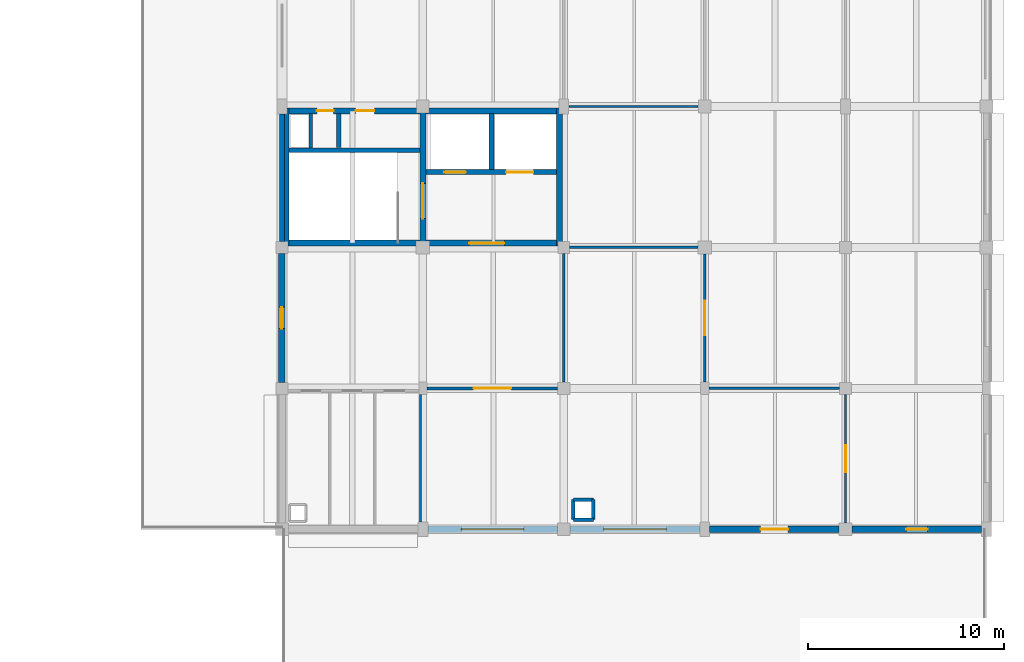
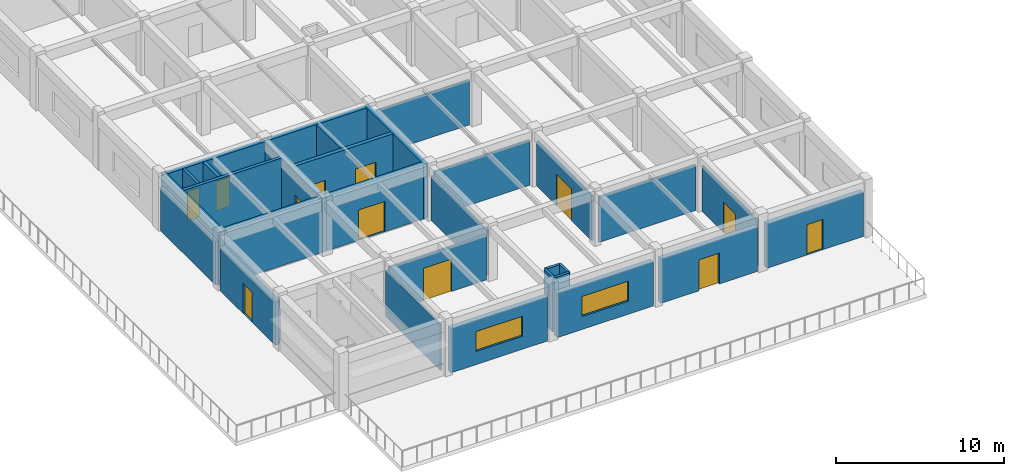
# One storey, part 29 of 38: 30 walls, 12 doors, 2 windows, 14 openings.
"""IFC4 building model written with IfcOpenShell, lengths in metres."""

from ifc_helpers import new_model, si_unit, direction, frame, frame_2d, origin, place, context, subcontext, project, spatial, rectangle, extrude, material, layer, layer_set, type_object, element, fill, save


model = new_model("IFC4")

# Units and contexts
model_context = context("Model", 3, precision=1e-05, world=origin(), true_north=direction((0.0, 1.0)))
body_context = subcontext(model_context, "Body", "Model", "MODEL_VIEW")
ifc_project = project(units=[si_unit("LENGTHUNIT", "METRE"), si_unit("AREAUNIT", "SQUARE_METRE"), si_unit("VOLUMEUNIT", "CUBIC_METRE"), si_unit("PLANEANGLEUNIT", "RADIAN"), si_unit("MASSUNIT", "GRAM", prefix="KILO")], contexts=[model_context])

# Site, building, storey
site_placement = place(None, origin())
site = spatial("IfcSite", under=ifc_project, at=site_placement, CompositionType="ELEMENT")
building_placement = place(site_placement, origin())
building = spatial("IfcBuilding", under=site, at=building_placement, Name="Thalmaran Polytechnic", CompositionType="ELEMENT")
storey_placement = place(building_placement, frame((0.0, 0.0, 18.60009765625)))
storey = spatial("IfcBuildingStorey", under=building, at=storey_placement, Name="L04", CompositionType="ELEMENT", Elevation=18.60009765625)

# Wall, opening, door
ifc_material_1 = material(Name="Precast concrete C40/50", Category="concrete")
ifc_layer_1 = layer(ifc_material_1, 0.330078125, Name="Precast concrete C40/50")
ifc_layer_set_1 = layer_set([ifc_layer_1], Name="Precast concrete C40/50")
wall_type_1 = type_object("IfcWallType", Name="WL-EW02", PredefinedType="STANDARD", material=ifc_layer_set_1)
wall_1_placement = place(storey_placement, frame((172.550048828125, 72.0, 0.0), z_axis=(0.0, 0.0, 1.0), x_axis=(-1.0, 0.0, 0.0)))
wall_1 = element("IfcWall", 1, at=wall_1_placement, inside=storey, type_object=wall_type_1, Name="Terrace Access Wall L04-014", PredefinedType="STANDARD", context=body_context, shape_type="SweptSolid", body=[
    extrude(rectangle(XDim=6.625, YDim=0.330078125, at=frame_2d((3.3125, 0.0))), origin(), (0.0, 0.0, 1.0), 3.2099609375),
])
opening_1_placement = place(wall_1_placement, frame((2.762451171875, 0.0, 0.0)))
opening_1 = element("IfcOpeningElement", 2, at=opening_1_placement, cuts=wall_1, Name="Opening TD-010", PredefinedType="OPENING", context=body_context, shape_type="SweptSolid", body=[
    extrude(rectangle(XDim=1.10009765625, YDim=2.199951171875, at=frame_2d((0.550048828125, 1.10009765625))), frame((0.0, 0.175048828125, 0.0), z_axis=(0.0, -1.0, 0.0), x_axis=(1.0, 0.0, 0.0)), (0.0, 0.0, 1.0), 0.35009765625),
])
ifc_material_2 = material(Name="Anodised aluminium and safety glass", Category="aluminium")
door_type_1 = type_object("IfcDoorType", Name="DR-TD02", OperationType="NOTDEFINED", PredefinedType="DOOR", material=ifc_material_2)
door_1_placement = place(opening_1_placement, origin())
door_1 = element("IfcDoor", 3, at=door_1_placement, inside=storey, type_object=door_type_1, Name="Terrace Access Door TD-010", OperationType="SINGLE_SWING_RIGHT", OverallHeight=2.199951171875, OverallWidth=1.10009765625, PredefinedType="DOOR", context=body_context, shape_type="SweptSolid", body=[
    extrude(rectangle(XDim=1.10009765625, YDim=2.199951171875, at=frame_2d((0.550048828125, 1.10009765625))), frame((0.0, 0.02490234375, 0.0), z_axis=(0.0, -1.0, 0.0), x_axis=(1.0, 0.0, 0.0)), (0.0, 0.0, 1.0), 0.050048828125),
])
fill(opening_1, door_1)

wall_2_placement = place(storey_placement, frame((165.27490234375, 72.0, 0.0), z_axis=(0.0, 0.0, 1.0), x_axis=(-1.0, 0.0, 0.0)))
wall_2 = element("IfcWall", 4, at=wall_2_placement, inside=storey, type_object=wall_type_1, Name="Terrace Access Wall L04-015", PredefinedType="STANDARD", context=body_context, shape_type="SweptSolid", body=[
    extrude(rectangle(XDim=6.625, YDim=0.330078125, at=frame_2d((3.3125, 0.0))), origin(), (0.0, 0.0, 1.0), 3.2099609375),
])
opening_2_placement = place(wall_2_placement, frame((2.612548828125, 0.0, 0.0)))
opening_2 = element("IfcOpeningElement", 5, at=opening_2_placement, cuts=wall_2, Name="Opening TD-011", PredefinedType="OPENING", context=body_context, shape_type="SweptSolid", body=[
    extrude(rectangle(XDim=1.39990234375, YDim=2.25, at=frame_2d((0.699951171875, 1.125))), frame((0.0, 0.175048828125, 0.0), z_axis=(0.0, -1.0, 0.0), x_axis=(1.0, 0.0, 0.0)), (0.0, 0.0, 1.0), 0.35009765625),
])
door_type_2 = type_object("IfcDoorType", Name="DR-TD01", OperationType="NOTDEFINED", PredefinedType="DOOR", material=ifc_material_2)
door_2_placement = place(opening_2_placement, origin())
door_2 = element("IfcDoor", 6, at=door_2_placement, inside=storey, type_object=door_type_2, Name="Terrace Access Door TD-011", OperationType="SINGLE_SWING_LEFT", OverallHeight=2.25, OverallWidth=1.39990234375, PredefinedType="DOOR", context=body_context, shape_type="SweptSolid", body=[
    extrude(rectangle(XDim=1.39990234375, YDim=2.25, at=frame_2d((0.699951171875, 1.125))), frame((0.0, 0.02490234375, 0.0), z_axis=(0.0, -1.0, 0.0), x_axis=(1.0, 0.0, 0.0)), (0.0, 0.0, 1.0), 0.050048828125),
])
fill(opening_2, door_2)

# Wall, opening, window
wall_3_placement = place(storey_placement, frame((158.14990234375, 72.0, 0.0), z_axis=(0.0, 0.0, 1.0), x_axis=(-1.0, 0.0, 0.0)))
wall_3 = element("IfcWall", 7, at=wall_3_placement, inside=storey, type_object=wall_type_1, Name="Terrace Access Wall L04-016", PredefinedType="STANDARD", context=body_context, shape_type="SweptSolid", body=[
    extrude(rectangle(XDim=6.625, YDim=0.330078125, at=frame_2d((3.3125, 0.0))), origin(), (0.0, 0.0, 1.0), 3.2099609375),
])
opening_3_placement = place(wall_3_placement, frame((1.71240234375, 0.0, 0.949951171875)))
opening_3 = element("IfcOpeningElement", 8, at=opening_3_placement, cuts=wall_3, Name="Opening RW04", PredefinedType="OPENING", context=body_context, shape_type="SweptSolid", body=[
    extrude(rectangle(XDim=3.199951171875, YDim=1.449951171875, at=frame_2d((1.60009765625, 0.72509765625))), frame((0.0, 0.175048828125, 0.0), z_axis=(0.0, -1.0, 0.0), x_axis=(1.0, 0.0, 0.0)), (0.0, 0.0, 1.0), 0.35009765625),
])
ifc_material_3 = material(Name="Thermally broken aluminium and double low-E glass", Category="aluminium")
window_type = type_object("IfcWindowType", Name="WN-RW04", PartitioningType="DOUBLE_PANEL_VERTICAL", PredefinedType="WINDOW", material=ifc_material_3)
window_1_placement = place(opening_3_placement, origin())
window_1 = element("IfcWindow", 9, at=window_1_placement, inside=storey, type_object=window_type, Name="Terrace Ribbon Window W-0543", OverallHeight=1.449951171875, OverallWidth=3.199951171875, PartitioningType="SINGLE_PANEL", PredefinedType="WINDOW", context=body_context, shape_type="SweptSolid", body=[
    extrude(rectangle(XDim=3.199951171875, YDim=1.449951171875, at=frame_2d((1.60009765625, 0.72509765625))), frame((0.0, 0.030029296875, 0.0), z_axis=(0.0, -1.0, 0.0), x_axis=(1.0, 0.0, 0.0)), (0.0, 0.0, 1.0), 0.06005859375),
])
fill(opening_3, window_1)

wall_4_placement = place(storey_placement, frame((150.875, 72.0, 0.0), z_axis=(0.0, 0.0, 1.0), x_axis=(-1.0, 0.0, 0.0)))
wall_4 = element("IfcWall", 10, at=wall_4_placement, inside=storey, type_object=wall_type_1, Name="Terrace Access Wall L04-017", PredefinedType="STANDARD", context=body_context, shape_type="SweptSolid", body=[
    extrude(rectangle(XDim=6.625, YDim=0.330078125, at=frame_2d((3.3125, 0.0))), origin(), (0.0, 0.0, 1.0), 3.2099609375),
])
opening_4_placement = place(wall_4_placement, frame((1.71240234375, 0.0, 0.949951171875)))
opening_4 = element("IfcOpeningElement", 11, at=opening_4_placement, cuts=wall_4, Name="Opening RW04", PredefinedType="OPENING", context=body_context, shape_type="SweptSolid", body=[
    extrude(rectangle(XDim=3.199951171875, YDim=1.449951171875, at=frame_2d((1.60009765625, 0.72509765625))), frame((0.0, 0.175048828125, 0.0), z_axis=(0.0, -1.0, 0.0), x_axis=(1.0, 0.0, 0.0)), (0.0, 0.0, 1.0), 0.35009765625),
])
window_2_placement = place(opening_4_placement, origin())
window_2 = element("IfcWindow", 12, at=window_2_placement, inside=storey, type_object=window_type, Name="Terrace Ribbon Window W-0544", OverallHeight=1.449951171875, OverallWidth=3.199951171875, PartitioningType="SINGLE_PANEL", PredefinedType="WINDOW", context=body_context, shape_type="SweptSolid", body=[
    extrude(rectangle(XDim=3.199951171875, YDim=1.449951171875, at=frame_2d((1.60009765625, 0.72509765625))), frame((0.0, 0.030029296875, 0.0), z_axis=(0.0, -1.0, 0.0), x_axis=(1.0, 0.0, 0.0)), (0.0, 0.0, 1.0), 0.06005859375),
])
fill(opening_4, window_2)

# Wall, opening, door
wall_5_placement = place(storey_placement, frame((136.800048828125, 79.510009765625, 0.0), z_axis=(0.0, 0.0, 1.0), x_axis=(0.0, 1.0, 0.0)))
wall_5 = element("IfcWall", 13, at=wall_5_placement, inside=storey, type_object=wall_type_1, Name="Terrace Access Wall L04-020", PredefinedType="STANDARD", context=body_context, shape_type="SweptSolid", body=[
    extrude(rectangle(XDim=6.590087890625, YDim=0.330078125, at=frame_2d((3.294921875, 0.0))), origin(), (0.0, 0.0, 1.0), 3.159912109375),
])
opening_5_placement = place(wall_5_placement, frame((2.7451171875, 0.0, 0.0)))
opening_5 = element("IfcOpeningElement", 14, at=opening_5_placement, cuts=wall_5, Name="Opening TD-012", PredefinedType="OPENING", context=body_context, shape_type="SweptSolid", body=[
    extrude(rectangle(XDim=1.10009765625, YDim=2.199951171875, at=frame_2d((0.550048828125, 1.10009765625))), frame((0.0, 0.175048828125, 0.0), z_axis=(0.0, -1.0, 0.0), x_axis=(1.0, 0.0, 0.0)), (0.0, 0.0, 1.0), 0.35009765625),
])
door_3_placement = place(opening_5_placement, origin())
door_3 = element("IfcDoor", 15, at=door_3_placement, inside=storey, type_object=door_type_1, Name="Terrace Access Door TD-012", OperationType="SINGLE_SWING_RIGHT", OverallHeight=2.199951171875, OverallWidth=1.10009765625, PredefinedType="DOOR", context=body_context, shape_type="SweptSolid", body=[
    extrude(rectangle(XDim=1.10009765625, YDim=2.199951171875, at=frame_2d((0.550048828125, 1.10009765625))), frame((0.0, 0.02490234375, 0.0), z_axis=(0.0, -1.0, 0.0), x_axis=(1.0, 0.0, 0.0)), (0.0, 0.0, 1.0), 0.050048828125),
])
fill(opening_5, door_3)

# Walls
ifc_material_4 = material(Name="Translucent architectural glass block", Category="glass")
ifc_layer_2 = layer(ifc_material_4, 0.239990234375, Name="Translucent architectural glass block")
ifc_layer_set_2 = layer_set([ifc_layer_2], Name="Translucent architectural glass block")
wall_type_2 = type_object("IfcWallType", Name="WL-GB01", PredefinedType="STANDARD", material=ifc_layer_set_2)
wall_6_placement = place(storey_placement, frame((136.800048828125, 86.699951171875, 0.0), z_axis=(0.0, 0.0, 1.0), x_axis=(0.0, 1.0, 0.0)))
element("IfcWall", 16, at=wall_6_placement, inside=storey, type_object=wall_type_2, Name="Streamline Glass-Block Stair Strip L04-021", PredefinedType="STANDARD", context=body_context, shape_type="SweptSolid", body=[
    extrude(rectangle(XDim=6.525146484375, YDim=0.239990234375, at=frame_2d((3.2626953125, 0.0))), origin(), (0.0, 0.0, 1.0), 3.159912109375),
])
ifc_material_5 = material(Name="Autoclaved aerated masonry", Category="masonry")
ifc_layer_3 = layer(ifc_material_5, 0.25, Name="Autoclaved aerated masonry")
ifc_layer_set_3 = layer_set([ifc_layer_3], Name="Autoclaved aerated masonry")
wall_type_3 = type_object("IfcWallType", Name="WL-IW01", PredefinedType="PARTITIONING", material=ifc_layer_set_3)
wall_7_placement = place(storey_placement, frame((147.5, 90.3798828125, 0.0), z_axis=(0.0, 0.0, 1.0), x_axis=(0.0, 1.0, 0.0)))
element("IfcWall", 17, at=wall_7_placement, inside=storey, type_object=wall_type_3, Name="Core C5 Shaft Dividing Wall L04", PredefinedType="PARTITIONING", context=body_context, shape_type="SweptSolid", body=[
    extrude(rectangle(XDim=2.8701171875, YDim=0.25, at=frame_2d((1.43505859375, 0.0))), origin(), (0.0, 0.0, 1.0), 3.954833984375),
])
ifc_layer_4 = layer(ifc_material_5, 0.22998046875, Name="Autoclaved aerated masonry")
ifc_layer_set_4 = layer_set([ifc_layer_4], Name="Autoclaved aerated masonry")
wall_type_4 = type_object("IfcWallType", Name="WL-IW02", PredefinedType="PARTITIONING", material=ifc_layer_set_4)
wall_8_placement = place(storey_placement, frame((139.699951171875, 91.5, 0.0), z_axis=(0.0, 0.0, 1.0), x_axis=(0.0, 1.0, 0.0)))
element("IfcWall", 18, at=wall_8_placement, inside=storey, type_object=wall_type_4, Name="Core C5 Riser Partition L04", PredefinedType="PARTITIONING", context=body_context, shape_type="SweptSolid", body=[
    extrude(rectangle(XDim=1.739990234375, YDim=0.22998046875, at=frame_2d((0.8701171875, 0.0))), origin(), (0.0, 0.0, 1.0), 3.954833984375),
])
ifc_layer_5 = layer(ifc_material_5, 0.179931640625, Name="Autoclaved aerated masonry")
ifc_layer_set_5 = layer_set([ifc_layer_5], Name="Autoclaved aerated masonry")
wall_type_5 = type_object("IfcWallType", Name="WL-IW04", PredefinedType="PARTITIONING", material=ifc_layer_set_5)
wall_9_placement = place(storey_placement, frame((138.280029296875, 91.47998046875, 0.0), z_axis=(0.0, 0.0, 1.0), x_axis=(0.0, 1.0, 0.0)))
element("IfcWall", 19, at=wall_9_placement, inside=storey, type_object=wall_type_5, Name="Core C5 Riser Shaft Enclosure Wall L04", PredefinedType="PARTITIONING", context=body_context, shape_type="SweptSolid", body=[
    extrude(rectangle(XDim=1.760009765625, YDim=0.179931640625, at=frame_2d((0.8798828125, 0.0))), origin(), (0.0, 0.0, 1.0), 3.954833984375),
])
for number, where, z_axis, x_axis, name in (
    (20, (151.68994140625, 72.489990234375, 0.0), (0.0, 0.0, 1.0), (1.0, 0.0, 0.0), "Fume Exhaust Riser Shaft Wall L04 (21,10)-S"),
    (21, (152.7099609375, 72.489990234375, 0.0), (0.0, 0.0, 1.0), (0.0, 1.0, 0.0), "Fume Exhaust Riser Shaft Wall L04 (21,10)-E"),
    (22, (152.7099609375, 73.510009765625, 0.0), (0.0, 0.0, 1.0), (-1.0, 0.0, 0.0), "Fume Exhaust Riser Shaft Wall L04 (21,10)-N"),
    (23, (151.68994140625, 73.510009765625, 0.0), (0.0, 0.0, 1.0), (0.0, -1.0, 0.0), "Fume Exhaust Riser Shaft Wall L04 (21,10)-W"),
):
    element("IfcWall", number, at=place(storey_placement, frame(where, z_axis=z_axis, x_axis=x_axis)), inside=storey, type_object=wall_type_5, Name=name, PredefinedType="PARTITIONING", context=body_context, shape_type="SweptSolid", body=[
        extrude(rectangle(XDim=1.02001953125, YDim=0.179931640625, at=frame_2d((0.510009765625, 0.0))), origin(), (0.0, 0.0, 1.0), 3.954833984375),
    ])

# Wall, opening, door
ifc_material_6 = material(Name="Gypsum acoustic partition")
ifc_layer_6 = layer(ifc_material_6, 0.14501953125, Name="Gypsum acoustic partition")
ifc_layer_set_6 = layer_set([ifc_layer_6], Name="Gypsum acoustic partition")
wall_type_6 = type_object("IfcWallType", Name="WL-IW06", PredefinedType="PARTITIONING", material=ifc_layer_set_6)
wall_10_placement = place(storey_placement, frame((144.215087890625, 79.199951171875, 0.0), z_axis=(0.0, 0.0, 1.0), x_axis=(1.0, 0.0, 0.0)))
wall_10 = element("IfcWall", 24, at=wall_10_placement, inside=storey, type_object=wall_type_6, Name="Interior Partition IW06 L04-065", PredefinedType="PARTITIONING", context=body_context, shape_type="SweptSolid", body=[
    extrude(rectangle(XDim=6.669921875, YDim=0.14501953125, at=frame_2d((3.3349609375, 0.0))), origin(), (0.0, 0.0, 1.0), 3.244873046875),
])
opening_6_placement = place(wall_10_placement, frame((2.375, 0.0, 0.0)))
opening_6 = element("IfcOpeningElement", 25, at=opening_6_placement, cuts=wall_10, Name="Opening D-L04-024-5-03-1", PredefinedType="OPENING", context=body_context, shape_type="SweptSolid", body=[
    extrude(rectangle(XDim=1.919921875, YDim=2.35009765625, at=frame_2d((0.9599609375, 1.175048828125))), frame((0.0, 0.08251953125, 0.0), z_axis=(0.0, -1.0, 0.0), x_axis=(1.0, 0.0, 0.0)), (0.0, 0.0, 1.0), 0.1650390625),
])
ifc_material_7 = material(Name="Acoustic hardwood and vision glass", Category="wood")
door_type_3 = type_object("IfcDoorType", Name="DR-ZD01", OperationType="NOTDEFINED", PredefinedType="DOOR", material=ifc_material_7)
door_4_placement = place(opening_6_placement, origin())
door_4 = element("IfcDoor", 26, at=door_4_placement, inside=storey, type_object=door_type_3, Name="Marine Systems Laboratory L04-03 Door 1", OperationType="SINGLE_SWING_LEFT", OverallHeight=2.35009765625, OverallWidth=1.919921875, PredefinedType="DOOR", context=body_context, shape_type="SweptSolid", body=[
    extrude(rectangle(XDim=1.919921875, YDim=2.35009765625, at=frame_2d((0.9599609375, 1.175048828125))), frame((0.0, 0.02490234375, 0.0), z_axis=(0.0, -1.0, 0.0), x_axis=(1.0, 0.0, 0.0)), (0.0, 0.0, 1.0), 0.050048828125),
])
fill(opening_6, door_4)

# Walls
wall_11_placement = place(storey_placement, frame((151.199951171875, 79.514892578125, 0.0), z_axis=(0.0, 0.0, 1.0), x_axis=(0.0, 1.0, 0.0)))
element("IfcWall", 27, at=wall_11_placement, inside=storey, type_object=wall_type_6, Name="Interior Partition IW06 L04-066", PredefinedType="PARTITIONING", context=body_context, shape_type="SweptSolid", body=[
    extrude(rectangle(XDim=6.580078125, YDim=0.14501953125, at=frame_2d((3.2900390625, 0.0))), origin(), (0.0, 0.0, 1.0), 3.27978515625),
])
ifc_layer_7 = layer(ifc_material_6, 0.1298828125, Name="Gypsum acoustic partition")
ifc_layer_set_7 = layer_set([ifc_layer_7], Name="Gypsum acoustic partition")
wall_type_7 = type_object("IfcWallType", Name="WL-IW07", PredefinedType="PARTITIONING", material=ifc_layer_set_7)
wall_12_placement = place(storey_placement, frame((151.5048828125, 86.39990234375, 0.0), z_axis=(0.0, 0.0, 1.0), x_axis=(1.0, 0.0, 0.0)))
element("IfcWall", 28, at=wall_12_placement, inside=storey, type_object=wall_type_7, Name="Interior Partition IW07 L04-072", PredefinedType="PARTITIONING", context=body_context, shape_type="SweptSolid", body=[
    extrude(rectangle(XDim=6.550048828125, YDim=0.1298828125, at=frame_2d((3.27490234375, 0.0))), origin(), (0.0, 0.0, 1.0), 3.264892578125),
])
wall_13_placement = place(storey_placement, frame((158.614990234375, 79.199951171875, 0.0), z_axis=(0.0, 0.0, 1.0), x_axis=(1.0, 0.0, 0.0)))
element("IfcWall", 29, at=wall_13_placement, inside=storey, type_object=wall_type_7, Name="Interior Partition IW07 L04-080", PredefinedType="PARTITIONING", context=body_context, shape_type="SweptSolid", body=[
    extrude(rectangle(XDim=6.669921875, YDim=0.1298828125, at=frame_2d((3.3349609375, 0.0))), origin(), (0.0, 0.0, 1.0), 3.304931640625),
])
ifc_layer_8 = layer(ifc_material_6, 0.114990234375, Name="Gypsum acoustic partition")
ifc_layer_set_8 = layer_set([ifc_layer_8], Name="Gypsum acoustic partition")
wall_type_8 = type_object("IfcWallType", Name="WL-IW08", PredefinedType="PARTITIONING", material=ifc_layer_set_8)
wall_14_placement = place(storey_placement, frame((143.8798828125, 72.3798828125, 0.0), z_axis=(0.0, 0.0, 1.0), x_axis=(0.0, 1.0, 0.0)))
element("IfcWall", 30, at=wall_14_placement, inside=storey, type_object=wall_type_8, Name="Sanitary Side Wall L04-W3-E", PredefinedType="PARTITIONING", context=body_context, shape_type="SweptSolid", body=[
    extrude(rectangle(XDim=6.4951171875, YDim=0.114990234375, at=frame_2d((3.24755859375, 0.0))), origin(), (0.0, 0.0, 1.0), 3.329833984375),
])

# Wall, opening, door
wall_15_placement = place(storey_placement, frame((158.39990234375, 79.52490234375, 0.0), z_axis=(0.0, 0.0, 1.0), x_axis=(0.0, 1.0, 0.0)))
wall_15 = element("IfcWall", 31, at=wall_15_placement, inside=storey, type_object=wall_type_8, Name="Interior Partition IW08 L04-071", PredefinedType="PARTITIONING", context=body_context, shape_type="SweptSolid", body=[
    extrude(rectangle(XDim=6.530029296875, YDim=0.114990234375, at=frame_2d((3.26513671875, 0.0))), origin(), (0.0, 0.0, 1.0), 3.27978515625),
])
opening_7_placement = place(wall_15_placement, frame((2.385009765625, 0.0, 0.0)))
opening_7 = element("IfcOpeningElement", 32, at=opening_7_placement, cuts=wall_15, Name="Opening D-L04-025-5-05-1", PredefinedType="OPENING", context=body_context, shape_type="SweptSolid", body=[
    extrude(rectangle(XDim=1.760009765625, YDim=2.300048828125, at=frame_2d((0.8798828125, 1.14990234375))), frame((0.0, 0.0673828125, 0.0), z_axis=(0.0, -1.0, 0.0), x_axis=(1.0, 0.0, 0.0)), (0.0, 0.0, 1.0), 0.135009765625),
])
door_type_4 = type_object("IfcDoorType", Name="DR-ZD02", OperationType="NOTDEFINED", PredefinedType="DOOR", material=ifc_material_7)
door_5_placement = place(opening_7_placement, origin())
door_5 = element("IfcDoor", 33, at=door_5_placement, inside=storey, type_object=door_type_4, Name="Product Design Studio L04-05 Door 1", OperationType="SINGLE_SWING_RIGHT", OverallHeight=2.300048828125, OverallWidth=1.760009765625, PredefinedType="DOOR", context=body_context, shape_type="SweptSolid", body=[
    extrude(rectangle(XDim=1.760009765625, YDim=2.300048828125, at=frame_2d((0.8798828125, 1.14990234375))), frame((0.0, 0.02490234375, 0.0), z_axis=(0.0, -1.0, 0.0), x_axis=(1.0, 0.0, 0.0)), (0.0, 0.0, 1.0), 0.050048828125),
])
fill(opening_7, door_5)

# Wall
wall_16_placement = place(storey_placement, frame((151.455078125, 93.60009765625, 0.0), z_axis=(0.0, 0.0, 1.0), x_axis=(1.0, 0.0, 0.0)))
element("IfcWall", 34, at=wall_16_placement, inside=storey, type_object=wall_type_8, Name="Interior Partition IW08 L04-073", PredefinedType="PARTITIONING", context=body_context, shape_type="SweptSolid", body=[
    extrude(rectangle(XDim=6.614990234375, YDim=0.114990234375, at=frame_2d((3.3076171875, 0.0))), origin(), (0.0, 0.0, 1.0), 3.264892578125),
])

# Wall, opening, door
wall_17_placement = place(storey_placement, frame((165.60009765625, 72.330078125, 0.0), z_axis=(0.0, 0.0, 1.0), x_axis=(0.0, 1.0, 0.0)))
wall_17 = element("IfcWall", 35, at=wall_17_placement, inside=storey, type_object=wall_type_8, Name="Interior Partition IW08 L04-079", PredefinedType="PARTITIONING", context=body_context, shape_type="SweptSolid", body=[
    extrude(rectangle(XDim=6.554931640625, YDim=0.114990234375, at=frame_2d((3.27734375, 0.0))), origin(), (0.0, 0.0, 1.0), 3.329833984375),
])
opening_8_placement = place(wall_17_placement, frame((2.58740234375, 0.0, 0.0)))
opening_8 = element("IfcOpeningElement", 36, at=opening_8_placement, cuts=wall_17, Name="Opening D-L04-027-5-07-1", PredefinedType="OPENING", context=body_context, shape_type="SweptSolid", body=[
    extrude(rectangle(XDim=1.3798828125, YDim=2.219970703125, at=frame_2d((0.68994140625, 1.10986328125))), frame((0.0, 0.0673828125, 0.0), z_axis=(0.0, -1.0, 0.0), x_axis=(1.0, 0.0, 0.0)), (0.0, 0.0, 1.0), 0.135009765625),
])
door_type_5 = type_object("IfcDoorType", Name="DR-ZD04", OperationType="NOTDEFINED", PredefinedType="DOOR", material=ifc_material_7)
door_6_placement = place(opening_8_placement, origin())
door_6 = element("IfcDoor", 37, at=door_6_placement, inside=storey, type_object=door_type_5, Name="Process Engineering Laboratory L04-07 Door 1", OperationType="SINGLE_SWING_RIGHT", OverallHeight=2.219970703125, OverallWidth=1.3798828125, PredefinedType="DOOR", context=body_context, shape_type="SweptSolid", body=[
    extrude(rectangle(XDim=1.3798828125, YDim=2.219970703125, at=frame_2d((0.68994140625, 1.10986328125))), frame((0.0, 0.02490234375, 0.0), z_axis=(0.0, -1.0, 0.0), x_axis=(1.0, 0.0, 0.0)), (0.0, 0.0, 1.0), 0.050048828125),
])
fill(opening_8, door_6)

# Walls
ifc_material_8 = material(Name="Concrete C50/60", Category="concrete")
ifc_layer_9 = layer(ifc_material_8, 0.300048828125, Name="Concrete C50/60")
ifc_layer_set_9 = layer_set([ifc_layer_9], Name="Concrete C50/60")
wall_type_9 = type_object("IfcWallType", Name="WL-SW04", PredefinedType="SHEAR", material=ifc_layer_set_9)
wall_18_placement = place(storey_placement, frame((137.169921875, 86.6201171875, 0.0), z_axis=(0.0, 0.0, 1.0), x_axis=(1.0, 0.0, 0.0)))
element("IfcWall", 38, at=wall_18_placement, inside=storey, type_object=wall_type_9, Name="Core C5 South Shear Wall L04", PredefinedType="SHEAR", context=body_context, shape_type="SweptSolid", body=[
    extrude(rectangle(XDim=6.68017578125, YDim=0.300048828125, at=frame_2d((3.340087890625, 0.0))), origin(), (0.0, 0.0, 1.0), 3.954833984375),
])
wall_19_placement = place(storey_placement, frame((137.02001953125, 93.530029296875, 0.0), z_axis=(0.0, 0.0, 1.0), x_axis=(0.0, -1.0, 0.0)))
element("IfcWall", 39, at=wall_19_placement, inside=storey, type_object=wall_type_9, Name="Core C5 West Shear Wall L04", PredefinedType="SHEAR", context=body_context, shape_type="SweptSolid", body=[
    extrude(rectangle(XDim=7.06005859375, YDim=0.300048828125, at=frame_2d((3.530029296875, 0.0))), origin(), (0.0, 0.0, 1.0), 3.954833984375),
])

# Wall, openings, doors
wall_20_placement = place(storey_placement, frame((137.169921875, 93.3798828125, 0.0), z_axis=(0.0, 0.0, 1.0), x_axis=(1.0, 0.0, 0.0)))
wall_20 = element("IfcWall", 40, at=wall_20_placement, inside=storey, type_object=wall_type_9, Name="Core C5 North Shear Wall L04", PredefinedType="SHEAR", context=body_context, shape_type="SweptSolid", body=[
    extrude(rectangle(XDim=6.68017578125, YDim=0.300048828125, at=frame_2d((3.340087890625, 0.0))), origin(), (0.0, 0.0, 1.0), 3.954833984375),
])
opening_9_placement = place(wall_20_placement, frame((1.419921875, 0.0, 0.0)))
opening_9 = element("IfcOpeningElement", 41, at=opening_9_placement, cuts=wall_20, Name="Opening DR-C5-L04-R", PredefinedType="OPENING", context=body_context, shape_type="SweptSolid", body=[
    extrude(rectangle(XDim=0.85009765625, YDim=2.10009765625, at=frame_2d((0.425048828125, 1.050048828125))), frame((0.0, 0.159912109375, 0.0), z_axis=(0.0, -1.0, 0.0), x_axis=(1.0, 0.0, 0.0)), (0.0, 0.0, 1.0), 0.320068359375),
])
opening_10_placement = place(wall_20_placement, frame((3.39990234375, 0.0, 0.0)))
opening_10 = element("IfcOpeningElement", 42, at=opening_10_placement, cuts=wall_20, Name="Opening ED-C5-L04-E", PredefinedType="OPENING", context=body_context, shape_type="SweptSolid", body=[
    extrude(rectangle(XDim=0.949951171875, YDim=2.14990234375, at=frame_2d((0.47509765625, 1.074951171875))), frame((0.0, 0.159912109375, 0.0), z_axis=(0.0, -1.0, 0.0), x_axis=(1.0, 0.0, 0.0)), (0.0, 0.0, 1.0), 0.320068359375),
])
ifc_material_9 = material(Name="Powder-coated fire-rated steel", Category="steel")
door_type_6 = type_object("IfcDoorType", Name="DR-FD08", OperationType="NOTDEFINED", PredefinedType="DOOR", material=ifc_material_9)
door_7_placement = place(opening_10_placement, origin())
door_7 = element("IfcDoor", 43, at=door_7_placement, inside=storey, type_object=door_type_6, Name="Electrical Riser Door C5 L04", OperationType="SINGLE_SWING_LEFT", OverallHeight=2.14990234375, OverallWidth=0.949951171875, PredefinedType="DOOR", context=body_context, shape_type="SweptSolid", body=[
    extrude(rectangle(XDim=0.949951171875, YDim=2.14990234375, at=frame_2d((0.47509765625, 1.074951171875))), frame((0.0, 0.02490234375, 0.0), z_axis=(0.0, -1.0, 0.0), x_axis=(1.0, 0.0, 0.0)), (0.0, 0.0, 1.0), 0.050048828125),
])
fill(opening_10, door_7)
door_type_7 = type_object("IfcDoorType", Name="DR-FD09", OperationType="NOTDEFINED", PredefinedType="DOOR", material=ifc_material_9)
door_8_placement = place(opening_9_placement, origin())
door_8 = element("IfcDoor", 44, at=door_8_placement, inside=storey, type_object=door_type_7, Name="Riser Access Fire Door C5 L04", OperationType="SINGLE_SWING_LEFT", OverallHeight=2.10009765625, OverallWidth=0.85009765625, PredefinedType="DOOR", context=body_context, shape_type="SweptSolid", body=[
    extrude(rectangle(XDim=0.85009765625, YDim=2.10009765625, at=frame_2d((0.425048828125, 1.050048828125))), frame((0.0, 0.02490234375, 0.0), z_axis=(0.0, -1.0, 0.0), x_axis=(1.0, 0.0, 0.0)), (0.0, 0.0, 1.0), 0.050048828125),
])
fill(opening_9, door_8)

# Wall
wall_21_placement = place(storey_placement, frame((137.169921875, 91.360107421875, 0.0), z_axis=(0.0, 0.0, 1.0), x_axis=(1.0, 0.0, 0.0)))
element("IfcWall", 45, at=wall_21_placement, inside=storey, type_object=wall_type_9, Name="Core C5 Stair Partition L04", PredefinedType="SHEAR", context=body_context, shape_type="SweptSolid", body=[
    extrude(rectangle(XDim=6.68017578125, YDim=0.219970703125, at=frame_2d((3.340087890625, 0.0))), origin(), (0.0, 0.0, 1.0), 3.954833984375),
])

# Wall, opening, door
wall_22_placement = place(storey_placement, frame((144.0, 86.469970703125, 0.0), z_axis=(0.0, 0.0, 1.0), x_axis=(0.0, 1.0, 0.0)))
wall_22 = element("IfcWall", 46, at=wall_22_placement, inside=storey, type_object=wall_type_9, Name="Core C5 Stair-Lobby Dividing Shear Wall L04", PredefinedType="SHEAR", context=body_context, shape_type="SweptSolid", body=[
    extrude(rectangle(XDim=7.06005859375, YDim=0.300048828125, at=frame_2d((3.530029296875, 0.0))), origin(), (0.0, 0.0, 1.0), 3.954833984375),
])
opening_11_placement = place(wall_22_placement, frame((1.39990234375, 0.0, 0.0)))
opening_11 = element("IfcOpeningElement", 47, at=opening_11_placement, cuts=wall_22, Name="Opening SD-ST5-L04", PredefinedType="OPENING", context=body_context, shape_type="SweptSolid", body=[
    extrude(rectangle(XDim=1.800048828125, YDim=2.199951171875, at=frame_2d((0.89990234375, 1.10009765625))), frame((0.0, 0.159912109375, 0.0), z_axis=(0.0, -1.0, 0.0), x_axis=(1.0, 0.0, 0.0)), (0.0, 0.0, 1.0), 0.320068359375),
])
door_type_8 = type_object("IfcDoorType", Name="DR-FD03", OperationType="NOTDEFINED", PredefinedType="DOOR", material=ifc_material_9)
door_9_placement = place(opening_11_placement, origin())
door_9 = element("IfcDoor", 48, at=door_9_placement, inside=storey, type_object=door_type_8, Name="Firefighting Lobby to Exit Stair Door ST5 L04", OperationType="SINGLE_SWING_RIGHT", OverallHeight=2.199951171875, OverallWidth=1.800048828125, PredefinedType="DOOR", context=body_context, shape_type="SweptSolid", body=[
    extrude(rectangle(XDim=1.800048828125, YDim=2.199951171875, at=frame_2d((0.89990234375, 1.10009765625))), frame((0.0, 0.02490234375, 0.0), z_axis=(0.0, -1.0, 0.0), x_axis=(1.0, 0.0, 0.0)), (0.0, 0.0, 1.0), 0.050048828125),
])
fill(opening_11, door_9)

wall_23_placement = place(storey_placement, frame((144.14990234375, 86.6201171875, 0.0), z_axis=(0.0, 0.0, 1.0), x_axis=(1.0, 0.0, 0.0)))
wall_23 = element("IfcWall", 49, at=wall_23_placement, inside=storey, type_object=wall_type_9, Name="Core C5 Lobby South Wall L04", PredefinedType="SHEAR", context=body_context, shape_type="SweptSolid", body=[
    extrude(rectangle(XDim=6.68017578125, YDim=0.300048828125, at=frame_2d((3.340087890625, 0.0))), origin(), (0.0, 0.0, 1.0), 3.954833984375),
])
opening_12_placement = place(wall_23_placement, frame((2.219970703125, 0.0, 0.0)))
opening_12 = element("IfcOpeningElement", 50, at=opening_12_placement, cuts=wall_23, Name="Opening FD-C5-L04", PredefinedType="OPENING", context=body_context, shape_type="SweptSolid", body=[
    extrude(rectangle(XDim=1.800048828125, YDim=2.199951171875, at=frame_2d((0.89990234375, 1.10009765625))), frame((0.0, 0.159912109375, 0.0), z_axis=(0.0, -1.0, 0.0), x_axis=(1.0, 0.0, 0.0)), (0.0, 0.0, 1.0), 0.320068359375),
])
door_type_9 = type_object("IfcDoorType", Name="DR-FD01", OperationType="NOTDEFINED", PredefinedType="DOOR", material=ifc_material_9)
door_10_placement = place(opening_12_placement, origin())
door_10 = element("IfcDoor", 51, at=door_10_placement, inside=storey, type_object=door_type_9, Name="Firefighting Lift Lobby Entrance Door C5 L04", OperationType="DOUBLE_DOOR_SINGLE_SWING", OverallHeight=2.199951171875, OverallWidth=1.800048828125, PredefinedType="DOOR", context=body_context, shape_type="SweptSolid", body=[
    extrude(rectangle(XDim=1.800048828125, YDim=2.199951171875, at=frame_2d((0.89990234375, 1.10009765625))), frame((0.0, 0.02490234375, 0.0), z_axis=(0.0, -1.0, 0.0), x_axis=(1.0, 0.0, 0.0)), (0.0, 0.0, 1.0), 0.050048828125),
])
fill(opening_12, door_10)

# Walls
wall_24_placement = place(storey_placement, frame((150.97998046875, 86.469970703125, 0.0), z_axis=(0.0, 0.0, 1.0), x_axis=(0.0, 1.0, 0.0)))
element("IfcWall", 52, at=wall_24_placement, inside=storey, type_object=wall_type_9, Name="Core C5 Lobby East Shear Wall L04", PredefinedType="SHEAR", context=body_context, shape_type="SweptSolid", body=[
    extrude(rectangle(XDim=7.06005859375, YDim=0.300048828125, at=frame_2d((3.530029296875, 0.0))), origin(), (0.0, 0.0, 1.0), 3.954833984375),
])
wall_25_placement = place(storey_placement, frame((144.14990234375, 93.3798828125, 0.0), z_axis=(0.0, 0.0, 1.0), x_axis=(1.0, 0.0, 0.0)))
element("IfcWall", 53, at=wall_25_placement, inside=storey, type_object=wall_type_9, Name="Core C5 Lift Shaft Back Shear Wall L04", PredefinedType="SHEAR", context=body_context, shape_type="SweptSolid", body=[
    extrude(rectangle(XDim=6.68017578125, YDim=0.300048828125, at=frame_2d((3.340087890625, 0.0))), origin(), (0.0, 0.0, 1.0), 3.954833984375),
])

# Wall, openings, doors
wall_26_placement = place(storey_placement, frame((144.14990234375, 90.25, 0.0), z_axis=(0.0, 0.0, 1.0), x_axis=(1.0, 0.0, 0.0)))
wall_26 = element("IfcWall", 54, at=wall_26_placement, inside=storey, type_object=wall_type_9, Name="Core C5 Lift Landing Front Wall L04", PredefinedType="SHEAR", context=body_context, shape_type="SweptSolid", body=[
    extrude(rectangle(XDim=6.68017578125, YDim=0.260009765625, at=frame_2d((3.340087890625, 0.0))), origin(), (0.0, 0.0, 1.0), 3.954833984375),
])
opening_13_placement = place(wall_26_placement, frame((0.949951171875, 0.0, 0.0)))
opening_13 = element("IfcOpeningElement", 55, at=opening_13_placement, cuts=wall_26, Name="Opening LD-PL-04-L04", PredefinedType="OPENING", context=body_context, shape_type="SweptSolid", body=[
    extrude(rectangle(XDim=1.10009765625, YDim=2.199951171875, at=frame_2d((0.550048828125, 1.10009765625))), frame((0.0, 0.139892578125, 0.0), z_axis=(0.0, -1.0, 0.0), x_axis=(1.0, 0.0, 0.0)), (0.0, 0.0, 1.0), 0.280029296875),
])
opening_14_placement = place(wall_26_placement, frame((4.10009765625, 0.0, 0.0)))
opening_14 = element("IfcOpeningElement", 56, at=opening_14_placement, cuts=wall_26, Name="Opening LD-GL-01-L04", PredefinedType="OPENING", context=body_context, shape_type="SweptSolid", body=[
    extrude(rectangle(XDim=1.39990234375, YDim=2.300048828125, at=frame_2d((0.699951171875, 1.14990234375))), frame((0.0, 0.139892578125, 0.0), z_axis=(0.0, -1.0, 0.0), x_axis=(1.0, 0.0, 0.0)), (0.0, 0.0, 1.0), 0.280029296875),
])
ifc_material_10 = material(Name="Brushed stainless steel lift door", Category="steel")
door_type_10 = type_object("IfcDoorType", Name="DR-LD01", OperationType="NOTDEFINED", PredefinedType="DOOR", material=ifc_material_10)
door_11_placement = place(opening_13_placement, origin())
door_11 = element("IfcDoor", 57, at=door_11_placement, inside=storey, type_object=door_type_10, Name="Lift Landing Door PL-04 L04", OperationType="SLIDING_TO_LEFT", OverallHeight=2.199951171875, OverallWidth=1.10009765625, PredefinedType="DOOR", context=body_context, shape_type="SweptSolid", body=[
    extrude(rectangle(XDim=1.10009765625, YDim=2.199951171875, at=frame_2d((0.550048828125, 1.10009765625))), frame((0.0, 0.02490234375, 0.0), z_axis=(0.0, -1.0, 0.0), x_axis=(1.0, 0.0, 0.0)), (0.0, 0.0, 1.0), 0.050048828125),
])
fill(opening_13, door_11)
door_type_11 = type_object("IfcDoorType", Name="DR-LD03", OperationType="NOTDEFINED", PredefinedType="DOOR", material=ifc_material_10)
door_12_placement = place(opening_14_placement, origin())
door_12 = element("IfcDoor", 58, at=door_12_placement, inside=storey, type_object=door_type_11, Name="Lift Landing Door GL-01 L04", OperationType="SLIDING_TO_RIGHT", OverallHeight=2.300048828125, OverallWidth=1.39990234375, PredefinedType="DOOR", context=body_context, shape_type="SweptSolid", body=[
    extrude(rectangle(XDim=1.39990234375, YDim=2.300048828125, at=frame_2d((0.699951171875, 1.14990234375))), frame((0.0, 0.02490234375, 0.0), z_axis=(0.0, -1.0, 0.0), x_axis=(1.0, 0.0, 0.0)), (0.0, 0.0, 1.0), 0.050048828125),
])
fill(opening_14, door_12)

save(model, "model.ifc")
